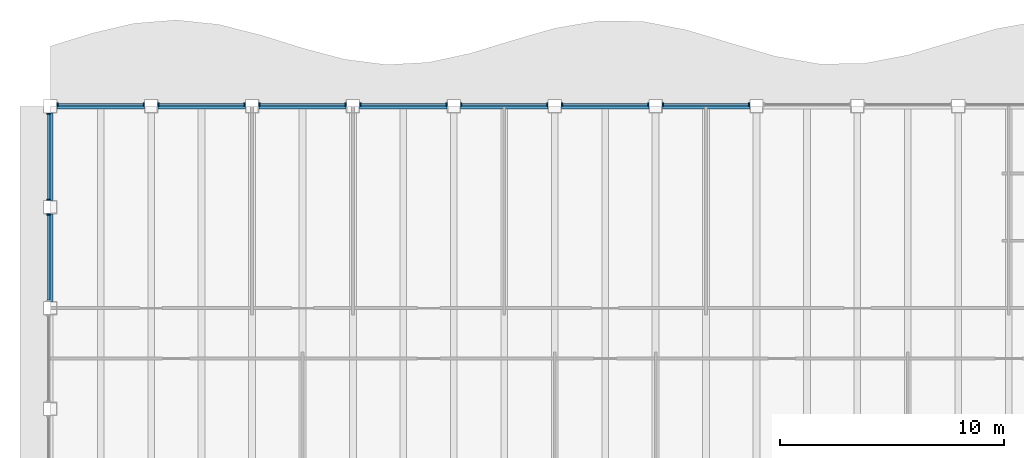
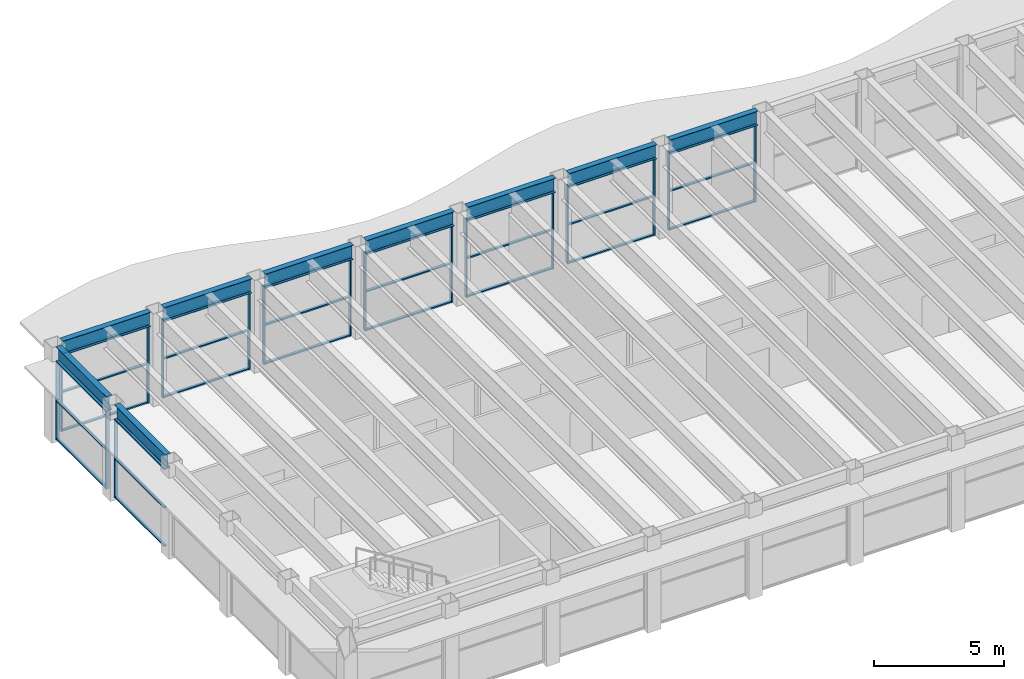
# One storey, part 4 of 15: 44 members, 9 beams, 9 elements without a shape of their own.
"""IFC4 building model written with IfcOpenShell, lengths in metres."""

import ifcopenshell
import ifcopenshell.guid

model = None  # the IFC model being written
_history = None  # IfcOwnerHistory: only IFC2X3 demands one
_inside = {}  # id of a spatial element -> (the spatial element, [elements in it])
_under = {}  # id of a project, library or spatial element -> (it, [spatial elements below it])
_declared = {}  # id of a project -> (the project, [libraries it declares])
_typed = {}  # id of a type object -> (the type object, [elements of that type])
_made_of = {}  # id of a material, layer set ... -> (it, [elements and type objects made of it])


def new_model(schema):
    """Start an empty IFC model of exactly this schema.

    Asked for "IFC4X3", IfcOpenShell would pick the latest addendum, in which some entities
    have other attributes; the version numbers below select the first issue.
    IFC2X3 requires an IfcOwnerHistory on every rooted entity: one is made here for all.
    """
    global model, _history
    if schema == "IFC4X3":
        model = ifcopenshell.file(schema_version=(4, 3, 0, 0))
    else:
        model = ifcopenshell.file(schema=schema)
    _inside.clear()
    _under.clear()
    _declared.clear()
    _typed.clear()
    _made_of.clear()
    _history = None
    if model.schema == "IFC2X3":
        org = make("IfcOrganization", Name="unknown")
        user = make(
            "IfcPersonAndOrganization",
            ThePerson=make("IfcPerson", FamilyName="unknown"),
            TheOrganization=org,
        )
        app = make(
            "IfcApplication",
            ApplicationDeveloper=org,
            Version="unknown",
            ApplicationFullName="unknown",
            ApplicationIdentifier="unknown",
        )
        _history = make(
            "IfcOwnerHistory",
            OwningUser=user,
            OwningApplication=app,
            ChangeAction="ADDED",
            CreationDate=0,
        )
    return model


def make(cls, **values):
    """One entity of the class cls with the attributes given. An attribute that is None is left unset."""
    return model.create_entity(
        cls, **{name: value for name, value in values.items() if value is not None}
    )


def rooted(cls, **values):
    """An entity with a GlobalId (a new one), such as an element, a storey or a relation."""
    return make(cls, GlobalId=ifcopenshell.guid.new(), OwnerHistory=_history, **values)


def si_unit(unit_type, name, prefix=None):
    """IfcSIUnit, for example si_unit("LENGTHUNIT", "METRE", prefix="MILLI")."""
    return make("IfcSIUnit", UnitType=unit_type, Prefix=prefix, Name=name)


def assignment(units):
    """IfcUnitAssignment: the units of a project."""
    return None if units is None else make("IfcUnitAssignment", Units=units)


def point(xyz):
    """IfcCartesianPoint."""
    return None if xyz is None else make("IfcCartesianPoint", Coordinates=xyz)


def direction(xyz):
    """IfcDirection."""
    return None if xyz is None else make("IfcDirection", DirectionRatios=xyz)


def frame(location, z_axis=None, x_axis=None):
    """IfcAxis2Placement3D, a coordinate frame: its origin and axes. An axis left out is left unset."""
    return make(
        "IfcAxis2Placement3D",
        Location=point(location),
        Axis=direction(z_axis),
        RefDirection=direction(x_axis),
    )


def frame_2d(location, x_axis=None):
    """IfcAxis2Placement2D, a coordinate frame in the plane: its origin and x axis."""
    return make(
        "IfcAxis2Placement2D", Location=point(location), RefDirection=direction(x_axis)
    )


def origin():
    """The frame at (0, 0, 0) with its axes left unset."""
    return frame((0.0, 0.0, 0.0))


def origin_2d():
    """The frame at (0, 0) in the plane with its x axis left unset."""
    return frame_2d((0.0, 0.0))


def place(relative_to, where):
    """IfcLocalPlacement: puts the frame where relative to a parent placement (None: the world)."""
    return make(
        "IfcLocalPlacement", PlacementRelTo=relative_to, RelativePlacement=where
    )


def context(
    kind, dimensions, precision=None, world=None, true_north=None, identifier=None
):
    """IfcGeometricRepresentationContext, for example the 3D "Model" context."""
    return make(
        "IfcGeometricRepresentationContext",
        ContextIdentifier=identifier,
        ContextType=kind,
        CoordinateSpaceDimension=dimensions,
        Precision=precision,
        WorldCoordinateSystem=world,
        TrueNorth=true_north,
    )


def subcontext(parent, identifier, kind, view, scale=None):
    """IfcGeometricRepresentationSubContext, for example "Body" below "Model"."""
    return make(
        "IfcGeometricRepresentationSubContext",
        ContextIdentifier=identifier,
        ContextType=kind,
        ParentContext=parent,
        TargetScale=scale,
        TargetView=view,
    )


def project(units=None, contexts=None):
    """IfcProject with its units and contexts."""
    return rooted(
        "IfcProject",
        Name="project",
        RepresentationContexts=contexts,
        UnitsInContext=assignment(units),
    )


def spatial(cls, under=None, at=None, **own):
    """A site, building, storey or space (cls), placed at a placement, below another one or the project."""
    s = rooted(cls, ObjectPlacement=at, **own)
    if under is not None:
        _under.setdefault(under.id(), (under, []))[1].append(s)
    return s


def profile(cls, at=None, kind="AREA", **sizes):
    """A parametric profile (cls). Its sizes go by their IFC names, for example OverallWidth=200.0."""
    return make(cls, ProfileType=kind, Position=at, **sizes)


def rectangle(**sizes):
    """IfcRectangleProfileDef."""
    return profile("IfcRectangleProfileDef", **sizes)


def i_section(**sizes):
    """IfcIShapeProfileDef."""
    return profile("IfcIShapeProfileDef", **sizes)


def extrude(swept, where, along, depth):
    """IfcExtrudedAreaSolid: the profile swept, set in the frame where, extruded along a direction by depth."""
    return make(
        "IfcExtrudedAreaSolid",
        SweptArea=swept,
        Position=where,
        ExtrudedDirection=direction(along),
        Depth=depth,
    )


def shape(context_of_items, identifier, shape_type, items):
    """IfcShapeRepresentation: the items that make up one representation, for example the "Body"."""
    return make(
        "IfcShapeRepresentation",
        ContextOfItems=context_of_items,
        RepresentationIdentifier=identifier,
        RepresentationType=shape_type,
        Items=items,
    )


def material(Name=None, Category=None):
    """IfcMaterial."""
    return make("IfcMaterial", Name=Name, Category=Category)


def material_profile(
    of_material, cross_section, Name=None, Category=None, Priority=None
):
    """IfcMaterialProfile: a cross section and its material."""
    return make(
        "IfcMaterialProfile",
        Name=Name,
        Material=of_material,
        Profile=cross_section,
        Priority=Priority,
        Category=Category,
    )


def profile_set(profiles, Name=None, composite=None):
    """IfcMaterialProfileSet."""
    return make(
        "IfcMaterialProfileSet",
        Name=Name,
        MaterialProfiles=profiles,
        CompositeProfile=composite,
    )


def made_of(thing, what):
    """Note that an element or type object is made of a material, layer set ...; save() writes the relation."""
    if what is not None:
        _made_of.setdefault(what.id(), (what, []))[1].append(thing)
    return thing


def type_object(cls, material=None, **own):
    """A type object (cls), such as IfcWallType, which elements share."""
    return made_of(rooted(cls, **own), material)


def element(
    cls,
    number,
    at=None,
    inside=None,
    cuts=None,
    type_object=None,
    material=None,
    context=None,
    identifier="Body",
    shape_type=None,
    held_by="IfcProductDefinitionShape",
    body=None,
    shapes=None,
    **own,
):
    """One element of the class cls, such as IfcWall. Its Tag is "e" and its number.

    at: its placement. inside: the storey or other place that contains it. cuts: it is an
    opening in that element (IfcRelVoidsElement). A single representation is given by context,
    identifier, shape_type and body (its items); several are given by shapes. held_by: the class
    of the entity that holds the representations. save() writes the other relations.
    """
    e = rooted(cls, Tag="e%d" % number, ObjectPlacement=at, **own)
    if body is not None:
        shapes = [shape(context, identifier, shape_type, body)]
    if shapes is not None:
        e.Representation = make(held_by, Representations=shapes)
    if inside is not None:
        _inside.setdefault(inside.id(), (inside, []))[1].append(e)
    if cuts is not None:
        rooted(
            "IfcRelVoidsElement", RelatingBuildingElement=cuts, RelatedOpeningElement=e
        )
    if type_object is not None:
        _typed.setdefault(type_object.id(), (type_object, []))[1].append(e)
    return made_of(e, material)


def aggregate(whole, parts):
    """IfcRelAggregates: a whole, such as a stair, and the parts it consists of."""
    return rooted("IfcRelAggregates", RelatingObject=whole, RelatedObjects=parts)


def save(model, path):
    """Write the relations noted so far, then the file.

    IfcRelAggregates (storeys below a building ...), IfcRelContainedInSpatialStructure (elements
    in a storey), IfcRelDefinesByType, IfcRelAssociatesMaterial and IfcRelDeclares: one each for
    every whole, place, type object, material and project.
    """
    for whole, parts in _under.values():
        aggregate(whole, parts)
    for where, things in _inside.values():
        rooted(
            "IfcRelContainedInSpatialStructure",
            RelatedElements=things,
            RelatingStructure=where,
        )
    for kind, things in _typed.values():
        rooted("IfcRelDefinesByType", RelatedObjects=things, RelatingType=kind)
    for what, things in _made_of.values():
        rooted("IfcRelAssociatesMaterial", RelatedObjects=things, RelatingMaterial=what)
    for by, libraries in _declared.values():
        rooted("IfcRelDeclares", RelatingContext=by, RelatedDefinitions=libraries)
    model.write(path)


model = new_model("IFC4")

# Units and contexts
model_context = context("Model", 3, precision=1e-05, world=origin(), true_north=direction((0.0, 1.0)))
body_context = subcontext(model_context, "Body", "Model", "MODEL_VIEW")
ifc_project = project(units=[si_unit("LENGTHUNIT", "METRE"), si_unit("AREAUNIT", "SQUARE_METRE"), si_unit("VOLUMEUNIT", "CUBIC_METRE"), si_unit("PLANEANGLEUNIT", "RADIAN"), si_unit("MASSUNIT", "GRAM", prefix="KILO")], contexts=[model_context])

# Site, building, storey
site_placement = place(None, origin())
site = spatial("IfcSite", under=ifc_project, at=site_placement, CompositionType="ELEMENT")
building_placement = place(site_placement, origin())
building = spatial("IfcBuilding", under=site, at=building_placement, Name="Sennacour Bend Tower", CompositionType="ELEMENT")
storey_placement = place(building_placement, frame((0.0, 0.0, 323.0)))
storey = spatial("IfcBuildingStorey", under=building, at=storey_placement, Name="L74", CompositionType="ELEMENT", Elevation=323.0)

# Curtain wall, members
ifc_material_1 = material(Name="Bronze anodised aluminium curtain wall with clear glass", Category="aluminium")
curtain_wall_type = type_object("IfcCurtainWallType", Name="CURTAIN WALL EXEC", PredefinedType="NOTDEFINED", material=ifc_material_1)
curtain_wall_1_placement = place(storey_placement, origin())
curtain_wall_1 = element("IfcCurtainWall", 1, at=curtain_wall_1_placement, inside=storey, type_object=curtain_wall_type, Name="Executive floor glass wall L74", PredefinedType="NOTDEFINED")
ifc_material_2 = material(Name="Aluminium 6063-T6", Category="aluminium")
ifc_material_profile_1 = material_profile(ifc_material_2, rectangle(XDim=0.14990234375, YDim=0.06005859375, at=origin_2d()), Name="Aluminium 6063-T6", Category="aluminium")
ifc_profile_set_1 = profile_set([ifc_material_profile_1], Name="Aluminium 6063-T6")
member_type_1 = type_object("IfcMemberType", Name="CW-MULLION-150X60", PredefinedType="MULLION", material=ifc_profile_set_1)
member_1_placement = place(storey_placement, frame((31.169921875, 22.574951171875, 0.0), z_axis=(0.0, 0.0, 1.0), x_axis=(0.0, -1.0, 0.0)))
member_1 = element("IfcMember", 2, at=member_1_placement, type_object=member_type_1, Name="GW3 curtain wall mullion 1", PredefinedType="MULLION", context=body_context, shape_type="SweptSolid", body=[
    extrude(rectangle(XDim=0.14990234375, YDim=0.06005859375, at=origin_2d()), origin(), (0.0, 0.0, 1.0), 3.672119140625),
])
member_2_placement = place(storey_placement, frame((27.330078125, 22.574951171875, 0.0), z_axis=(0.0, 0.0, 1.0), x_axis=(0.0, -1.0, 0.0)))
member_2 = element("IfcMember", 3, at=member_2_placement, type_object=member_type_1, Name="GW3 curtain wall mullion 2", PredefinedType="MULLION", context=body_context, shape_type="SweptSolid", body=[
    extrude(rectangle(XDim=0.14990234375, YDim=0.06005859375, at=origin_2d()), origin(), (0.0, 0.0, 1.0), 3.672119140625),
])

curtain_wall_2_placement = place(storey_placement, origin())
curtain_wall_2 = element("IfcCurtainWall", 4, at=curtain_wall_2_placement, inside=storey, type_object=curtain_wall_type, Name="Executive floor glass wall L74", PredefinedType="NOTDEFINED")
member_3_placement = place(storey_placement, frame((26.669921875, 22.574951171875, 0.0), z_axis=(0.0, 0.0, 1.0), x_axis=(0.0, -1.0, 0.0)))
member_3 = element("IfcMember", 5, at=member_3_placement, type_object=member_type_1, Name="GW3 curtain wall mullion 1", PredefinedType="MULLION", context=body_context, shape_type="SweptSolid", body=[
    extrude(rectangle(XDim=0.14990234375, YDim=0.06005859375, at=origin_2d()), origin(), (0.0, 0.0, 1.0), 3.672119140625),
])
member_4_placement = place(storey_placement, frame((22.830078125, 22.574951171875, 0.0), z_axis=(0.0, 0.0, 1.0), x_axis=(0.0, -1.0, 0.0)))
member_4 = element("IfcMember", 6, at=member_4_placement, type_object=member_type_1, Name="GW3 curtain wall mullion 2", PredefinedType="MULLION", context=body_context, shape_type="SweptSolid", body=[
    extrude(rectangle(XDim=0.14990234375, YDim=0.06005859375, at=origin_2d()), origin(), (0.0, 0.0, 1.0), 3.672119140625),
])

curtain_wall_3_placement = place(storey_placement, origin())
curtain_wall_3 = element("IfcCurtainWall", 7, at=curtain_wall_3_placement, inside=storey, type_object=curtain_wall_type, Name="Executive floor glass wall L74", PredefinedType="NOTDEFINED")
member_5_placement = place(storey_placement, frame((22.169921875, 22.574951171875, 0.0), z_axis=(0.0, 0.0, 1.0), x_axis=(0.0, -1.0, 0.0)))
member_5 = element("IfcMember", 8, at=member_5_placement, type_object=member_type_1, Name="GW3 curtain wall mullion 1", PredefinedType="MULLION", context=body_context, shape_type="SweptSolid", body=[
    extrude(rectangle(XDim=0.14990234375, YDim=0.06005859375, at=origin_2d()), origin(), (0.0, 0.0, 1.0), 3.672119140625),
])
member_6_placement = place(storey_placement, frame((18.330078125, 22.574951171875, 0.0), z_axis=(0.0, 0.0, 1.0), x_axis=(0.0, -1.0, 0.0)))
member_6 = element("IfcMember", 9, at=member_6_placement, type_object=member_type_1, Name="GW3 curtain wall mullion 2", PredefinedType="MULLION", context=body_context, shape_type="SweptSolid", body=[
    extrude(rectangle(XDim=0.14990234375, YDim=0.06005859375, at=origin_2d()), origin(), (0.0, 0.0, 1.0), 3.672119140625),
])

curtain_wall_4_placement = place(storey_placement, origin())
curtain_wall_4 = element("IfcCurtainWall", 10, at=curtain_wall_4_placement, inside=storey, type_object=curtain_wall_type, Name="Executive floor glass wall L74", PredefinedType="NOTDEFINED")
member_7_placement = place(storey_placement, frame((17.669921875, 22.574951171875, 0.0), z_axis=(0.0, 0.0, 1.0), x_axis=(0.0, -1.0, 0.0)))
member_7 = element("IfcMember", 11, at=member_7_placement, type_object=member_type_1, Name="GW3 curtain wall mullion 1", PredefinedType="MULLION", context=body_context, shape_type="SweptSolid", body=[
    extrude(rectangle(XDim=0.14990234375, YDim=0.06005859375, at=origin_2d()), origin(), (0.0, 0.0, 1.0), 3.672119140625),
])
member_8_placement = place(storey_placement, frame((13.830078125, 22.574951171875, 0.0), z_axis=(0.0, 0.0, 1.0), x_axis=(0.0, -1.0, 0.0)))
member_8 = element("IfcMember", 12, at=member_8_placement, type_object=member_type_1, Name="GW3 curtain wall mullion 2", PredefinedType="MULLION", context=body_context, shape_type="SweptSolid", body=[
    extrude(rectangle(XDim=0.14990234375, YDim=0.06005859375, at=origin_2d()), origin(), (0.0, 0.0, 1.0), 3.672119140625),
])

curtain_wall_5_placement = place(storey_placement, origin())
curtain_wall_5 = element("IfcCurtainWall", 13, at=curtain_wall_5_placement, inside=storey, type_object=curtain_wall_type, Name="Executive floor glass wall L74", PredefinedType="NOTDEFINED")
member_9_placement = place(storey_placement, frame((13.169921875, 22.574951171875, 0.0), z_axis=(0.0, 0.0, 1.0), x_axis=(0.0, -1.0, 0.0)))
member_9 = element("IfcMember", 14, at=member_9_placement, type_object=member_type_1, Name="GW3 curtain wall mullion 1", PredefinedType="MULLION", context=body_context, shape_type="SweptSolid", body=[
    extrude(rectangle(XDim=0.14990234375, YDim=0.06005859375, at=origin_2d()), origin(), (0.0, 0.0, 1.0), 3.672119140625),
])
member_10_placement = place(storey_placement, frame((9.330078125, 22.574951171875, 0.0), z_axis=(0.0, 0.0, 1.0), x_axis=(0.0, -1.0, 0.0)))
member_10 = element("IfcMember", 15, at=member_10_placement, type_object=member_type_1, Name="GW3 curtain wall mullion 2", PredefinedType="MULLION", context=body_context, shape_type="SweptSolid", body=[
    extrude(rectangle(XDim=0.14990234375, YDim=0.06005859375, at=origin_2d()), origin(), (0.0, 0.0, 1.0), 3.672119140625),
])

curtain_wall_6_placement = place(storey_placement, origin())
curtain_wall_6 = element("IfcCurtainWall", 16, at=curtain_wall_6_placement, inside=storey, type_object=curtain_wall_type, Name="Executive floor glass wall L74", PredefinedType="NOTDEFINED")
member_11_placement = place(storey_placement, frame((8.669921875, 22.574951171875, 0.0), z_axis=(0.0, 0.0, 1.0), x_axis=(0.0, -1.0, 0.0)))
member_11 = element("IfcMember", 17, at=member_11_placement, type_object=member_type_1, Name="GW3 curtain wall mullion 1", PredefinedType="MULLION", context=body_context, shape_type="SweptSolid", body=[
    extrude(rectangle(XDim=0.14990234375, YDim=0.06005859375, at=origin_2d()), origin(), (0.0, 0.0, 1.0), 3.672119140625),
])
member_12_placement = place(storey_placement, frame((4.830078125, 22.574951171875, 0.0), z_axis=(0.0, 0.0, 1.0), x_axis=(0.0, -1.0, 0.0)))
member_12 = element("IfcMember", 18, at=member_12_placement, type_object=member_type_1, Name="GW3 curtain wall mullion 2", PredefinedType="MULLION", context=body_context, shape_type="SweptSolid", body=[
    extrude(rectangle(XDim=0.14990234375, YDim=0.06005859375, at=origin_2d()), origin(), (0.0, 0.0, 1.0), 3.672119140625),
])

curtain_wall_7_placement = place(storey_placement, origin())
curtain_wall_7 = element("IfcCurtainWall", 19, at=curtain_wall_7_placement, inside=storey, type_object=curtain_wall_type, Name="Executive floor glass wall L74", PredefinedType="NOTDEFINED")
member_13_placement = place(storey_placement, frame((4.169921875, 22.574951171875, 0.0), z_axis=(0.0, 0.0, 1.0), x_axis=(0.0, -1.0, 0.0)))
member_13 = element("IfcMember", 20, at=member_13_placement, type_object=member_type_1, Name="GW3 curtain wall mullion 1", PredefinedType="MULLION", context=body_context, shape_type="SweptSolid", body=[
    extrude(rectangle(XDim=0.14990234375, YDim=0.06005859375, at=origin_2d()), origin(), (0.0, 0.0, 1.0), 3.672119140625),
])
member_14_placement = place(storey_placement, frame((0.330078125, 22.574951171875, 0.0), z_axis=(0.0, 0.0, 1.0), x_axis=(0.0, -1.0, 0.0)))
member_14 = element("IfcMember", 21, at=member_14_placement, type_object=member_type_1, Name="GW3 curtain wall mullion 2", PredefinedType="MULLION", context=body_context, shape_type="SweptSolid", body=[
    extrude(rectangle(XDim=0.14990234375, YDim=0.06005859375, at=origin_2d()), origin(), (0.0, 0.0, 1.0), 3.672119140625),
])

curtain_wall_8_placement = place(storey_placement, origin())
curtain_wall_8 = element("IfcCurtainWall", 22, at=curtain_wall_8_placement, inside=storey, type_object=curtain_wall_type, Name="Executive floor glass wall L74", PredefinedType="NOTDEFINED")
member_15_placement = place(storey_placement, frame((-0.074951171875, 22.169921875, 0.0), z_axis=(0.0, 0.0, 1.0), x_axis=(1.0, 0.0, 0.0)))
member_15 = element("IfcMember", 23, at=member_15_placement, type_object=member_type_1, Name="GW3 curtain wall mullion 1", PredefinedType="MULLION", context=body_context, shape_type="SweptSolid", body=[
    extrude(rectangle(XDim=0.14990234375, YDim=0.06005859375, at=origin_2d()), origin(), (0.0, 0.0, 1.0), 3.672119140625),
])
member_16_placement = place(storey_placement, frame((-0.074951171875, 18.330078125, 0.0), z_axis=(0.0, 0.0, 1.0), x_axis=(1.0, 0.0, 0.0)))
member_16 = element("IfcMember", 24, at=member_16_placement, type_object=member_type_1, Name="GW3 curtain wall mullion 2", PredefinedType="MULLION", context=body_context, shape_type="SweptSolid", body=[
    extrude(rectangle(XDim=0.14990234375, YDim=0.06005859375, at=origin_2d()), origin(), (0.0, 0.0, 1.0), 3.672119140625),
])

# Curtain wall, member
curtain_wall_9_placement = place(storey_placement, origin())
curtain_wall_9 = element("IfcCurtainWall", 25, at=curtain_wall_9_placement, inside=storey, type_object=curtain_wall_type, Name="Executive floor glass wall L74", PredefinedType="NOTDEFINED")
member_17_placement = place(storey_placement, frame((-0.074951171875, 17.669921875, 0.0), z_axis=(0.0, 0.0, 1.0), x_axis=(1.0, 0.0, 0.0)))
member_17 = element("IfcMember", 26, at=member_17_placement, type_object=member_type_1, Name="GW3 curtain wall mullion 1", PredefinedType="MULLION", context=body_context, shape_type="SweptSolid", body=[
    extrude(rectangle(XDim=0.14990234375, YDim=0.06005859375, at=origin_2d()), origin(), (0.0, 0.0, 1.0), 3.672119140625),
])

# Member
ifc_material_profile_2 = material_profile(ifc_material_2, rectangle(XDim=0.1201171875, YDim=0.06005859375, at=origin_2d()), Name="Aluminium 6063-T6", Category="aluminium")
ifc_profile_set_2 = profile_set([ifc_material_profile_2], Name="Aluminium 6063-T6")
member_type_2 = type_object("IfcMemberType", Name="CW-TRANSOM-120X60", PredefinedType="USERDEFINED", material=ifc_profile_set_2)
member_18_placement = place(storey_placement, frame((31.139892578125, 22.574951171875, 0.030029296875), z_axis=(-1.0, 0.0, 0.0), x_axis=(0.0, -1.0, 0.0)))
member_18 = element("IfcMember", 27, at=member_18_placement, type_object=member_type_2, Name="GW3 curtain wall transom 1.1", ObjectType="TRANSOM", PredefinedType="USERDEFINED", context=body_context, shape_type="SweptSolid", body=[
    extrude(rectangle(XDim=0.1201171875, YDim=0.06005859375, at=origin_2d()), origin(), (0.0, 0.0, 1.0), 3.77978515625),
])

member_19_placement = place(storey_placement, frame((31.139892578125, 22.574951171875, 1.8359375), z_axis=(-1.0, 0.0, 0.0), x_axis=(0.0, -1.0, 0.0)))
member_19 = element("IfcMember", 28, at=member_19_placement, type_object=member_type_2, Name="GW3 curtain wall transom 1.2", ObjectType="TRANSOM", PredefinedType="USERDEFINED", context=body_context, shape_type="SweptSolid", body=[
    extrude(rectangle(XDim=0.1201171875, YDim=0.06005859375, at=origin_2d()), origin(), (0.0, 0.0, 1.0), 3.77978515625),
])

member_20_placement = place(storey_placement, frame((31.139892578125, 22.574951171875, 3.64208984375), z_axis=(-1.0, 0.0, 0.0), x_axis=(0.0, -1.0, 0.0)))
member_20 = element("IfcMember", 29, at=member_20_placement, type_object=member_type_2, Name="GW3 curtain wall transom 1.3", ObjectType="TRANSOM", PredefinedType="USERDEFINED", context=body_context, shape_type="SweptSolid", body=[
    extrude(rectangle(XDim=0.1201171875, YDim=0.06005859375, at=origin_2d()), origin(), (0.0, 0.0, 1.0), 3.77978515625),
])

aggregate(curtain_wall_1, [member_1, member_2, member_18, member_19, member_20])

member_21_placement = place(storey_placement, frame((26.639892578125, 22.574951171875, 0.030029296875), z_axis=(-1.0, 0.0, 0.0), x_axis=(0.0, -1.0, 0.0)))
member_21 = element("IfcMember", 30, at=member_21_placement, type_object=member_type_2, Name="GW3 curtain wall transom 1.1", ObjectType="TRANSOM", PredefinedType="USERDEFINED", context=body_context, shape_type="SweptSolid", body=[
    extrude(rectangle(XDim=0.1201171875, YDim=0.06005859375, at=origin_2d()), origin(), (0.0, 0.0, 1.0), 3.77978515625),
])

member_22_placement = place(storey_placement, frame((26.639892578125, 22.574951171875, 1.8359375), z_axis=(-1.0, 0.0, 0.0), x_axis=(0.0, -1.0, 0.0)))
member_22 = element("IfcMember", 31, at=member_22_placement, type_object=member_type_2, Name="GW3 curtain wall transom 1.2", ObjectType="TRANSOM", PredefinedType="USERDEFINED", context=body_context, shape_type="SweptSolid", body=[
    extrude(rectangle(XDim=0.1201171875, YDim=0.06005859375, at=origin_2d()), origin(), (0.0, 0.0, 1.0), 3.77978515625),
])

member_23_placement = place(storey_placement, frame((26.639892578125, 22.574951171875, 3.64208984375), z_axis=(-1.0, 0.0, 0.0), x_axis=(0.0, -1.0, 0.0)))
member_23 = element("IfcMember", 32, at=member_23_placement, type_object=member_type_2, Name="GW3 curtain wall transom 1.3", ObjectType="TRANSOM", PredefinedType="USERDEFINED", context=body_context, shape_type="SweptSolid", body=[
    extrude(rectangle(XDim=0.1201171875, YDim=0.06005859375, at=origin_2d()), origin(), (0.0, 0.0, 1.0), 3.77978515625),
])

aggregate(curtain_wall_2, [member_3, member_4, member_21, member_22, member_23])

member_24_placement = place(storey_placement, frame((22.139892578125, 22.574951171875, 0.030029296875), z_axis=(-1.0, 0.0, 0.0), x_axis=(0.0, -1.0, 0.0)))
member_24 = element("IfcMember", 33, at=member_24_placement, type_object=member_type_2, Name="GW3 curtain wall transom 1.1", ObjectType="TRANSOM", PredefinedType="USERDEFINED", context=body_context, shape_type="SweptSolid", body=[
    extrude(rectangle(XDim=0.1201171875, YDim=0.06005859375, at=origin_2d()), origin(), (0.0, 0.0, 1.0), 3.77978515625),
])

member_25_placement = place(storey_placement, frame((22.139892578125, 22.574951171875, 1.8359375), z_axis=(-1.0, 0.0, 0.0), x_axis=(0.0, -1.0, 0.0)))
member_25 = element("IfcMember", 34, at=member_25_placement, type_object=member_type_2, Name="GW3 curtain wall transom 1.2", ObjectType="TRANSOM", PredefinedType="USERDEFINED", context=body_context, shape_type="SweptSolid", body=[
    extrude(rectangle(XDim=0.1201171875, YDim=0.06005859375, at=origin_2d()), origin(), (0.0, 0.0, 1.0), 3.77978515625),
])

member_26_placement = place(storey_placement, frame((22.139892578125, 22.574951171875, 3.64208984375), z_axis=(-1.0, 0.0, 0.0), x_axis=(0.0, -1.0, 0.0)))
member_26 = element("IfcMember", 35, at=member_26_placement, type_object=member_type_2, Name="GW3 curtain wall transom 1.3", ObjectType="TRANSOM", PredefinedType="USERDEFINED", context=body_context, shape_type="SweptSolid", body=[
    extrude(rectangle(XDim=0.1201171875, YDim=0.06005859375, at=origin_2d()), origin(), (0.0, 0.0, 1.0), 3.77978515625),
])

aggregate(curtain_wall_3, [member_5, member_6, member_24, member_25, member_26])

member_27_placement = place(storey_placement, frame((17.639892578125, 22.574951171875, 0.030029296875), z_axis=(-1.0, 0.0, 0.0), x_axis=(0.0, -1.0, 0.0)))
member_27 = element("IfcMember", 36, at=member_27_placement, type_object=member_type_2, Name="GW3 curtain wall transom 1.1", ObjectType="TRANSOM", PredefinedType="USERDEFINED", context=body_context, shape_type="SweptSolid", body=[
    extrude(rectangle(XDim=0.1201171875, YDim=0.06005859375, at=origin_2d()), origin(), (0.0, 0.0, 1.0), 3.77978515625),
])

member_28_placement = place(storey_placement, frame((17.639892578125, 22.574951171875, 1.8359375), z_axis=(-1.0, 0.0, 0.0), x_axis=(0.0, -1.0, 0.0)))
member_28 = element("IfcMember", 37, at=member_28_placement, type_object=member_type_2, Name="GW3 curtain wall transom 1.2", ObjectType="TRANSOM", PredefinedType="USERDEFINED", context=body_context, shape_type="SweptSolid", body=[
    extrude(rectangle(XDim=0.1201171875, YDim=0.06005859375, at=origin_2d()), origin(), (0.0, 0.0, 1.0), 3.77978515625),
])

member_29_placement = place(storey_placement, frame((17.639892578125, 22.574951171875, 3.64208984375), z_axis=(-1.0, 0.0, 0.0), x_axis=(0.0, -1.0, 0.0)))
member_29 = element("IfcMember", 38, at=member_29_placement, type_object=member_type_2, Name="GW3 curtain wall transom 1.3", ObjectType="TRANSOM", PredefinedType="USERDEFINED", context=body_context, shape_type="SweptSolid", body=[
    extrude(rectangle(XDim=0.1201171875, YDim=0.06005859375, at=origin_2d()), origin(), (0.0, 0.0, 1.0), 3.77978515625),
])

aggregate(curtain_wall_4, [member_7, member_8, member_27, member_28, member_29])

member_30_placement = place(storey_placement, frame((13.139892578125, 22.574951171875, 0.030029296875), z_axis=(-1.0, 0.0, 0.0), x_axis=(0.0, -1.0, 0.0)))
member_30 = element("IfcMember", 39, at=member_30_placement, type_object=member_type_2, Name="GW3 curtain wall transom 1.1", ObjectType="TRANSOM", PredefinedType="USERDEFINED", context=body_context, shape_type="SweptSolid", body=[
    extrude(rectangle(XDim=0.1201171875, YDim=0.06005859375, at=origin_2d()), origin(), (0.0, 0.0, 1.0), 3.77978515625),
])

member_31_placement = place(storey_placement, frame((13.139892578125, 22.574951171875, 1.8359375), z_axis=(-1.0, 0.0, 0.0), x_axis=(0.0, -1.0, 0.0)))
member_31 = element("IfcMember", 40, at=member_31_placement, type_object=member_type_2, Name="GW3 curtain wall transom 1.2", ObjectType="TRANSOM", PredefinedType="USERDEFINED", context=body_context, shape_type="SweptSolid", body=[
    extrude(rectangle(XDim=0.1201171875, YDim=0.06005859375, at=origin_2d()), origin(), (0.0, 0.0, 1.0), 3.77978515625),
])

member_32_placement = place(storey_placement, frame((13.139892578125, 22.574951171875, 3.64208984375), z_axis=(-1.0, 0.0, 0.0), x_axis=(0.0, -1.0, 0.0)))
member_32 = element("IfcMember", 41, at=member_32_placement, type_object=member_type_2, Name="GW3 curtain wall transom 1.3", ObjectType="TRANSOM", PredefinedType="USERDEFINED", context=body_context, shape_type="SweptSolid", body=[
    extrude(rectangle(XDim=0.1201171875, YDim=0.06005859375, at=origin_2d()), origin(), (0.0, 0.0, 1.0), 3.77978515625),
])

aggregate(curtain_wall_5, [member_9, member_10, member_30, member_31, member_32])

member_33_placement = place(storey_placement, frame((8.639892578125, 22.574951171875, 0.030029296875), z_axis=(-1.0, 0.0, 0.0), x_axis=(0.0, -1.0, 0.0)))
member_33 = element("IfcMember", 42, at=member_33_placement, type_object=member_type_2, Name="GW3 curtain wall transom 1.1", ObjectType="TRANSOM", PredefinedType="USERDEFINED", context=body_context, shape_type="SweptSolid", body=[
    extrude(rectangle(XDim=0.1201171875, YDim=0.06005859375, at=origin_2d()), origin(), (0.0, 0.0, 1.0), 3.77978515625),
])

member_34_placement = place(storey_placement, frame((8.639892578125, 22.574951171875, 1.8359375), z_axis=(-1.0, 0.0, 0.0), x_axis=(0.0, -1.0, 0.0)))
member_34 = element("IfcMember", 43, at=member_34_placement, type_object=member_type_2, Name="GW3 curtain wall transom 1.2", ObjectType="TRANSOM", PredefinedType="USERDEFINED", context=body_context, shape_type="SweptSolid", body=[
    extrude(rectangle(XDim=0.1201171875, YDim=0.06005859375, at=origin_2d()), origin(), (0.0, 0.0, 1.0), 3.77978515625),
])

member_35_placement = place(storey_placement, frame((8.639892578125, 22.574951171875, 3.64208984375), z_axis=(-1.0, 0.0, 0.0), x_axis=(0.0, -1.0, 0.0)))
member_35 = element("IfcMember", 44, at=member_35_placement, type_object=member_type_2, Name="GW3 curtain wall transom 1.3", ObjectType="TRANSOM", PredefinedType="USERDEFINED", context=body_context, shape_type="SweptSolid", body=[
    extrude(rectangle(XDim=0.1201171875, YDim=0.06005859375, at=origin_2d()), origin(), (0.0, 0.0, 1.0), 3.77978515625),
])

aggregate(curtain_wall_6, [member_11, member_12, member_33, member_34, member_35])

member_36_placement = place(storey_placement, frame((4.139892578125, 22.574951171875, 0.030029296875), z_axis=(-1.0, 0.0, 0.0), x_axis=(0.0, -1.0, 0.0)))
member_36 = element("IfcMember", 45, at=member_36_placement, type_object=member_type_2, Name="GW3 curtain wall transom 1.1", ObjectType="TRANSOM", PredefinedType="USERDEFINED", context=body_context, shape_type="SweptSolid", body=[
    extrude(rectangle(XDim=0.1201171875, YDim=0.06005859375, at=origin_2d()), origin(), (0.0, 0.0, 1.0), 3.77978515625),
])

member_37_placement = place(storey_placement, frame((4.139892578125, 22.574951171875, 1.8359375), z_axis=(-1.0, 0.0, 0.0), x_axis=(0.0, -1.0, 0.0)))
member_37 = element("IfcMember", 46, at=member_37_placement, type_object=member_type_2, Name="GW3 curtain wall transom 1.2", ObjectType="TRANSOM", PredefinedType="USERDEFINED", context=body_context, shape_type="SweptSolid", body=[
    extrude(rectangle(XDim=0.1201171875, YDim=0.06005859375, at=origin_2d()), origin(), (0.0, 0.0, 1.0), 3.77978515625),
])

member_38_placement = place(storey_placement, frame((4.139892578125, 22.574951171875, 3.64208984375), z_axis=(-1.0, 0.0, 0.0), x_axis=(0.0, -1.0, 0.0)))
member_38 = element("IfcMember", 47, at=member_38_placement, type_object=member_type_2, Name="GW3 curtain wall transom 1.3", ObjectType="TRANSOM", PredefinedType="USERDEFINED", context=body_context, shape_type="SweptSolid", body=[
    extrude(rectangle(XDim=0.1201171875, YDim=0.06005859375, at=origin_2d()), origin(), (0.0, 0.0, 1.0), 3.77978515625),
])

aggregate(curtain_wall_7, [member_13, member_14, member_36, member_37, member_38])

member_39_placement = place(storey_placement, frame((-0.074951171875, 22.139892578125, 0.030029296875), z_axis=(0.0, -1.0, 0.0), x_axis=(1.0, 0.0, 0.0)))
member_39 = element("IfcMember", 48, at=member_39_placement, type_object=member_type_2, Name="GW3 curtain wall transom 1.1", ObjectType="TRANSOM", PredefinedType="USERDEFINED", context=body_context, shape_type="SweptSolid", body=[
    extrude(rectangle(XDim=0.1201171875, YDim=0.06005859375, at=origin_2d()), origin(), (0.0, 0.0, 1.0), 3.77978515625),
])

member_40_placement = place(storey_placement, frame((-0.074951171875, 22.139892578125, 1.8359375), z_axis=(0.0, -1.0, 0.0), x_axis=(1.0, 0.0, 0.0)))
member_40 = element("IfcMember", 49, at=member_40_placement, type_object=member_type_2, Name="GW3 curtain wall transom 1.2", ObjectType="TRANSOM", PredefinedType="USERDEFINED", context=body_context, shape_type="SweptSolid", body=[
    extrude(rectangle(XDim=0.1201171875, YDim=0.06005859375, at=origin_2d()), origin(), (0.0, 0.0, 1.0), 3.77978515625),
])

member_41_placement = place(storey_placement, frame((-0.074951171875, 22.139892578125, 3.64208984375), z_axis=(0.0, -1.0, 0.0), x_axis=(1.0, 0.0, 0.0)))
member_41 = element("IfcMember", 50, at=member_41_placement, type_object=member_type_2, Name="GW3 curtain wall transom 1.3", ObjectType="TRANSOM", PredefinedType="USERDEFINED", context=body_context, shape_type="SweptSolid", body=[
    extrude(rectangle(XDim=0.1201171875, YDim=0.06005859375, at=origin_2d()), origin(), (0.0, 0.0, 1.0), 3.77978515625),
])

aggregate(curtain_wall_8, [member_15, member_16, member_39, member_40, member_41])

member_42_placement = place(storey_placement, frame((-0.074951171875, 17.639892578125, 0.030029296875), z_axis=(0.0, -1.0, 0.0), x_axis=(1.0, 0.0, 0.0)))
member_42 = element("IfcMember", 51, at=member_42_placement, type_object=member_type_2, Name="GW3 curtain wall transom 1.1", ObjectType="TRANSOM", PredefinedType="USERDEFINED", context=body_context, shape_type="SweptSolid", body=[
    extrude(rectangle(XDim=0.1201171875, YDim=0.06005859375, at=origin_2d()), origin(), (0.0, 0.0, 1.0), 3.77978515625),
])

member_43_placement = place(storey_placement, frame((-0.074951171875, 17.639892578125, 1.8359375), z_axis=(0.0, -1.0, 0.0), x_axis=(1.0, 0.0, 0.0)))
member_43 = element("IfcMember", 52, at=member_43_placement, type_object=member_type_2, Name="GW3 curtain wall transom 1.2", ObjectType="TRANSOM", PredefinedType="USERDEFINED", context=body_context, shape_type="SweptSolid", body=[
    extrude(rectangle(XDim=0.1201171875, YDim=0.06005859375, at=origin_2d()), origin(), (0.0, 0.0, 1.0), 3.77978515625),
])

member_44_placement = place(storey_placement, frame((-0.074951171875, 17.639892578125, 3.64208984375), z_axis=(0.0, -1.0, 0.0), x_axis=(1.0, 0.0, 0.0)))
member_44 = element("IfcMember", 53, at=member_44_placement, type_object=member_type_2, Name="GW3 curtain wall transom 1.3", ObjectType="TRANSOM", PredefinedType="USERDEFINED", context=body_context, shape_type="SweptSolid", body=[
    extrude(rectangle(XDim=0.1201171875, YDim=0.06005859375, at=origin_2d()), origin(), (0.0, 0.0, 1.0), 3.77978515625),
])

aggregate(curtain_wall_9, [member_17, member_42, member_43, member_44])

# Beams
ifc_material_3 = material(Name="Steel ASTM A992 Grade 50", Category="steel")
ifc_material_profile_3 = material_profile(ifc_material_3, i_section(OverallWidth=0.25390625, OverallDepth=0.677978515625, WebThickness=0.01171875, FlangeThickness=0.016357421875, FilletRadius=0.01513671875, at=origin_2d()), Name="Steel ASTM A992 Grade 50", Category="steel")
ifc_profile_set_3 = profile_set([ifc_material_profile_3], Name="Steel ASTM A992 Grade 50")
beam_type = type_object("IfcBeamType", Name="Spandrel beam W690X125", PredefinedType="SPANDREL", material=ifc_profile_set_3)
for number, where, z_axis, x_axis, name in (
    (54, (0.0, 13.800048828125, 4.010986328125), (0.0, 1.0, 0.0), (-1.0, 0.0, 0.0), "Spandrel beam SP7 L75-004"),
    (55, (0.0, 18.300048828125, 4.010986328125), (0.0, 1.0, 0.0), (-1.0, 0.0, 0.0), "Spandrel beam SP7 L75-005"),
    (56, (0.300048828125, 22.5, 4.010986328125), (1.0, 0.0, 0.0), (0.0, 1.0, 0.0), "Spandrel beam SP7 L75-006"),
    (57, (4.800048828125, 22.5, 4.010986328125), (1.0, 0.0, 0.0), (0.0, 1.0, 0.0), "Spandrel beam SP7 L75-007"),
    (58, (9.300048828125, 22.5, 4.010986328125), (1.0, 0.0, 0.0), (0.0, 1.0, 0.0), "Spandrel beam SP7 L75-008"),
    (59, (13.800048828125, 22.5, 4.010986328125), (1.0, 0.0, 0.0), (0.0, 1.0, 0.0), "Spandrel beam SP7 L75-009"),
    (60, (18.300048828125, 22.5, 4.010986328125), (1.0, 0.0, 0.0), (0.0, 1.0, 0.0), "Spandrel beam SP7 L75-010"),
    (61, (22.800048828125, 22.5, 4.010986328125), (1.0, 0.0, 0.0), (0.0, 1.0, 0.0), "Spandrel beam SP7 L75-011"),
    (62, (27.300048828125, 22.5, 4.010986328125), (1.0, 0.0, 0.0), (0.0, 1.0, 0.0), "Spandrel beam SP7 L75-012"),
):
    element("IfcBeam", number, at=place(storey_placement, frame(where, z_axis=z_axis, x_axis=x_axis)), inside=storey, type_object=beam_type, Name=name, PredefinedType="SPANDREL", context=body_context, shape_type="SweptSolid", body=[
        extrude(i_section(OverallWidth=0.25390625, OverallDepth=0.677978515625, WebThickness=0.01171875, FlangeThickness=0.016357421875, FilletRadius=0.01513671875, at=origin_2d()), origin(), (0.0, 0.0, 1.0), 3.89990234375),
    ])

save(model, "model.ifc")
